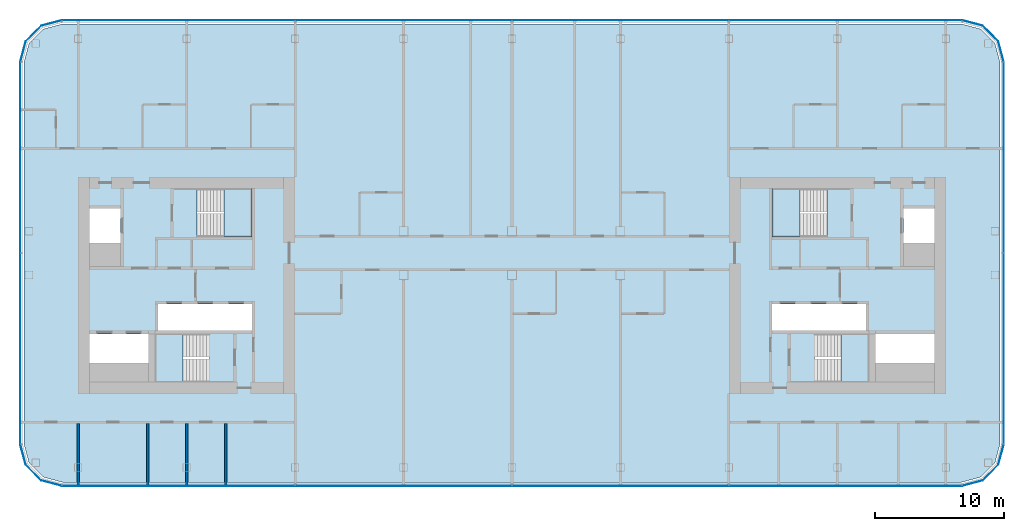
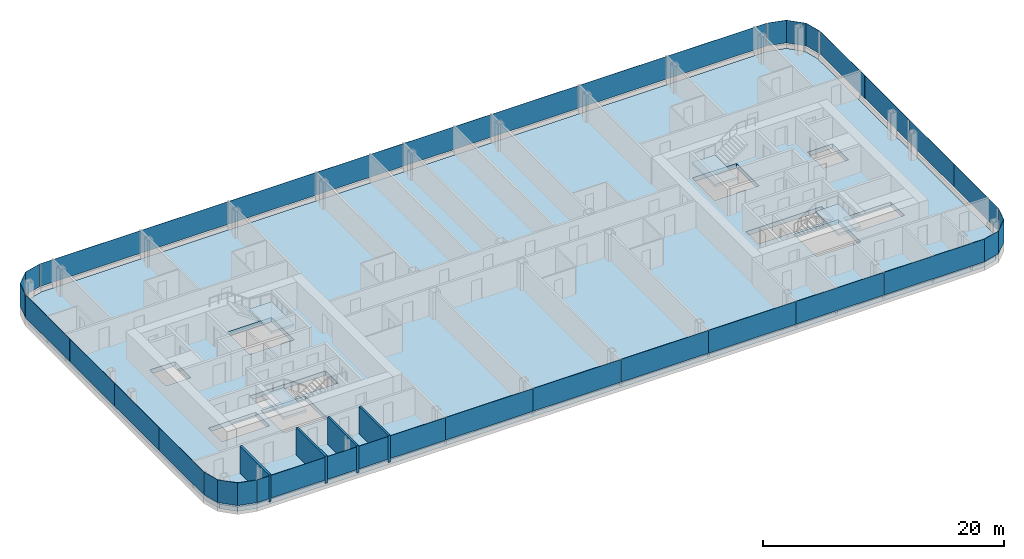
# One storey, part 12 of 25: 28 plates, 5 slabs, 4 walls, 12 elements without a shape of their own.
"""IFC4 building model written with IfcOpenShell, lengths in metres."""

from ifc_helpers import new_model, si_unit, direction, frame, frame_2d, origin, origin_2d, place, context, subcontext, project, spatial, polyline, rectangle, outline, extrude, material, layer, layer_set, type_object, element, aggregate, save


model = new_model("IFC4")

# Units and contexts
model_context = context("Model", 3, precision=1e-05, world=origin(), true_north=direction((0.0, 1.0)))
body_context = subcontext(model_context, "Body", "Model", "MODEL_VIEW")
ifc_project = project(units=[si_unit("LENGTHUNIT", "METRE"), si_unit("AREAUNIT", "SQUARE_METRE"), si_unit("VOLUMEUNIT", "CUBIC_METRE"), si_unit("PLANEANGLEUNIT", "RADIAN"), si_unit("MASSUNIT", "GRAM", prefix="KILO")], contexts=[model_context])

# Site, building, storey
site_placement = place(None, origin())
site = spatial("IfcSite", under=ifc_project, at=site_placement, CompositionType="ELEMENT")
building_placement = place(site_placement, origin())
building = spatial("IfcBuilding", under=site, at=building_placement, Name="Hakoniwa Tower and Hamabe Station Hall", CompositionType="ELEMENT")
storey_placement = place(building_placement, frame((0.0, 0.0, 186.60009765625)))
storey = spatial("IfcBuildingStorey", under=building, at=storey_placement, Name="L52", CompositionType="ELEMENT", Elevation=186.60009765625)

# Stair, slab
ifc_material_1 = material(Name="Concrete C40", Category="concrete")
stair_type = type_object("IfcStairType", Name="ESCAPE STAIR 1800", PredefinedType="HALF_TURN_STAIR", material=ifc_material_1)
stair_1_placement = place(storey_placement, origin())
stair_1 = element("IfcStair", 1, at=stair_1_placement, inside=storey, type_object=stair_type, Name="Escape stair ST-1 L52", PredefinedType="HALF_TURN_STAIR")
ifc_material_2 = material(Name="Concrete C40", Category="concrete")
ifc_layer_1 = layer(ifc_material_2, 0.25)
ifc_layer_set_1 = layer_set([ifc_layer_1], Name="CORE STAIR LANDING 250")
slab_type_1 = type_object("IfcSlabType", Name="CORE STAIR LANDING 250", PredefinedType="LANDING", material=ifc_layer_set_1)
slab_1_placement = place(storey_placement, frame((0.0, 0.0, 1.349853515625)))
slab_1 = element("IfcSlab", 2, at=slab_1_placement, type_object=slab_type_1, Name="ST-1 landing 1", PredefinedType="LANDING", context=body_context, shape_type="SweptSolid", body=[
    extrude(outline(polyline([(-22.320068359375, 3.75), (-20.14990234375, 3.75), (-20.14990234375, 7.5), (-22.320068359375, 7.5), (-22.320068359375, 3.75)])), origin(), (0.0, 0.0, 1.0), 0.25),
])
aggregate(stair_1, [slab_1])

stair_2_placement = place(storey_placement, origin())
stair_2 = element("IfcStair", 3, at=stair_2_placement, inside=storey, type_object=stair_type, Name="Escape stair ST-2 L52", PredefinedType="HALF_TURN_STAIR")
slab_2_placement = place(storey_placement, frame((0.0, 0.0, 1.349853515625)))
slab_2 = element("IfcSlab", 4, at=slab_2_placement, type_object=slab_type_1, Name="ST-2 landing 1", PredefinedType="LANDING", context=body_context, shape_type="SweptSolid", body=[
    extrude(outline(polyline([(-25.47998046875, -7.5), (-27.64990234375, -7.5), (-27.64990234375, -3.75), (-25.47998046875, -3.75), (-25.47998046875, -7.5)])), origin(), (0.0, 0.0, 1.0), 0.25),
])
aggregate(stair_2, [slab_2])

stair_3_placement = place(storey_placement, origin())
stair_3 = element("IfcStair", 5, at=stair_3_placement, inside=storey, type_object=stair_type, Name="Escape stair ST-3 L52", PredefinedType="HALF_TURN_STAIR")
slab_3_placement = place(storey_placement, frame((0.0, 0.0, 1.349853515625)))
slab_3 = element("IfcSlab", 6, at=slab_3_placement, type_object=slab_type_1, Name="ST-3 landing 1", PredefinedType="LANDING", context=body_context, shape_type="SweptSolid", body=[
    extrude(outline(polyline([(22.320068359375, 3.75), (20.14990234375, 3.75), (20.14990234375, 7.5), (22.320068359375, 7.5), (22.320068359375, 3.75)])), origin(), (0.0, 0.0, 1.0), 0.25),
])
aggregate(stair_3, [slab_3])

stair_4_placement = place(storey_placement, origin())
stair_4 = element("IfcStair", 7, at=stair_4_placement, inside=storey, type_object=stair_type, Name="Escape stair ST-4 L52", PredefinedType="HALF_TURN_STAIR")
slab_4_placement = place(storey_placement, frame((0.0, 0.0, 1.349853515625)))
slab_4 = element("IfcSlab", 8, at=slab_4_placement, type_object=slab_type_1, Name="ST-4 landing 1", PredefinedType="LANDING", context=body_context, shape_type="SweptSolid", body=[
    extrude(outline(polyline([(25.47998046875, -7.5), (27.64990234375, -7.5), (27.64990234375, -3.75), (25.47998046875, -3.75), (25.47998046875, -7.5)])), origin(), (0.0, 0.0, 1.0), 0.25),
])
aggregate(stair_4, [slab_4])

# Curtain wall, plates
ifc_material_3 = material(Name="Dark low-e laminated glass", Category="glass")
ifc_layer_2 = layer(ifc_material_3, 0.199951171875)
ifc_layer_set_2 = layer_set([ifc_layer_2], Name="CW-1 UNITISED GUEST")
curtain_wall_type = type_object("IfcCurtainWallType", Name="CW-1 UNITISED GUEST", PredefinedType="NOTDEFINED", material=ifc_layer_set_2)
curtain_wall_1_placement = place(storey_placement, origin())
curtain_wall_1 = element("IfcCurtainWall", 9, at=curtain_wall_1_placement, inside=storey, type_object=curtain_wall_type, Name="CW-1 curtain wall", PredefinedType="NOTDEFINED")
ifc_material_4 = material(Name="Dark low-e laminated glass", Category="glass")
ifc_layer_3 = layer(ifc_material_4, 0.028076171875)
ifc_layer_set_3 = layer_set([ifc_layer_3], Name="CW-1 GLASS UNIT")
plate_type = type_object("IfcPlateType", Name="CW-1 GLASS UNIT", PredefinedType="CURTAIN_PANEL", material=ifc_layer_set_3)
plate_1_placement = place(storey_placement, frame((38.0859375, -8.592041015625, 0.35009765625), z_axis=(0.0, 0.0, 1.0), x_axis=(0.0, 1.0, 0.0)))
plate_1 = element("IfcPlate", 10, at=plate_1_placement, type_object=plate_type, Name="CW-1 glass unit", PredefinedType="CURTAIN_PANEL", context=body_context, shape_type="SweptSolid", body=[
    extrude(rectangle(XDim=7.374755859375, YDim=0.028076171875, at=origin_2d()), origin(), (0.0, 0.0, 1.0), 2.300048828125),
])
plate_2_placement = place(storey_placement, frame((38.0859375, -1.197265625, 0.35009765625), z_axis=(0.0, 0.0, 1.0), x_axis=(0.0, 1.0, 0.0)))
plate_2 = element("IfcPlate", 11, at=plate_2_placement, type_object=plate_type, Name="CW-1 glass unit", PredefinedType="CURTAIN_PANEL", context=body_context, shape_type="SweptSolid", body=[
    extrude(rectangle(XDim=7.374755859375, YDim=0.028076171875, at=origin_2d()), origin(), (0.0, 0.0, 1.0), 2.300048828125),
])
plate_3_placement = place(storey_placement, frame((38.0859375, 6.197265625, 0.35009765625), z_axis=(0.0, 0.0, 1.0), x_axis=(0.0, 1.0, 0.0)))
plate_3 = element("IfcPlate", 12, at=plate_3_placement, type_object=plate_type, Name="CW-1 glass unit", PredefinedType="CURTAIN_PANEL", context=body_context, shape_type="SweptSolid", body=[
    extrude(rectangle(XDim=7.374755859375, YDim=0.028076171875, at=origin_2d()), origin(), (0.0, 0.0, 1.0), 2.300048828125),
])
plate_4_placement = place(storey_placement, frame((38.0859375, 13.592041015625, 0.35009765625), z_axis=(0.0, 0.0, 1.0), x_axis=(0.0, 1.0, 0.0)))
plate_4 = element("IfcPlate", 13, at=plate_4_placement, type_object=plate_type, Name="CW-1 glass unit", PredefinedType="CURTAIN_PANEL", context=body_context, shape_type="SweptSolid", body=[
    extrude(rectangle(XDim=7.374755859375, YDim=0.028076171875, at=origin_2d()), origin(), (0.0, 0.0, 1.0), 2.300048828125),
])
aggregate(curtain_wall_1, [plate_1, plate_2, plate_3, plate_4])

# Curtain wall, plate
curtain_wall_2_placement = place(storey_placement, origin())
curtain_wall_2 = element("IfcCurtainWall", 14, at=curtain_wall_2_placement, inside=storey, type_object=curtain_wall_type, Name="CW-1 curtain wall", PredefinedType="NOTDEFINED")
plate_5_placement = place(storey_placement, frame((0.0, 0.0, 0.349853515625)))
plate_5 = element("IfcPlate", 15, at=plate_5_placement, type_object=plate_type, Name="CW-1 curved corner unit", PredefinedType="CURTAIN_PANEL", context=body_context, shape_type="SweptSolid", body=[
    extrude(outline(polyline([(38.089599609375, 17.328125), (37.6669921875, 18.9052734375), (36.455322265625, 20.116943359375), (34.878173828125, 20.53955078125), (34.870849609375, 20.5126953125), (36.44091796875, 20.092041015625), (37.641845703125, 18.890869140625), (38.0625, 17.32080078125), (38.089599609375, 17.328125)])), origin(), (0.0, 0.0, 1.0), 2.300048828125),
])
aggregate(curtain_wall_2, [plate_5])

# Curtain wall, plates
curtain_wall_3_placement = place(storey_placement, origin())
curtain_wall_3 = element("IfcCurtainWall", 16, at=curtain_wall_3_placement, inside=storey, type_object=curtain_wall_type, Name="CW-1 curtain wall", PredefinedType="NOTDEFINED")
plate_6_placement = place(storey_placement, frame((30.019775390625, 20.535888671875, 0.35009765625), z_axis=(0.0, 0.0, 1.0), x_axis=(-1.0, 0.0, 0.0)))
plate_6 = element("IfcPlate", 17, at=plate_6_placement, type_object=plate_type, Name="CW-1 glass unit", PredefinedType="CURTAIN_PANEL", context=body_context, shape_type="SweptSolid", body=[
    extrude(rectangle(XDim=9.619384765625, YDim=0.028076171875, at=origin_2d()), origin(), (0.0, 0.0, 1.0), 2.300048828125),
])
plate_7_placement = place(storey_placement, frame((21.0, 20.535888671875, 0.35009765625), z_axis=(0.0, 0.0, 1.0), x_axis=(-1.0, 0.0, 0.0)))
plate_7 = element("IfcPlate", 18, at=plate_7_placement, type_object=plate_type, Name="CW-1 glass unit", PredefinedType="CURTAIN_PANEL", context=body_context, shape_type="SweptSolid", body=[
    extrude(rectangle(XDim=8.3798828125, YDim=0.028076171875, at=origin_2d()), origin(), (0.0, 0.0, 1.0), 2.300048828125),
])
plate_8_placement = place(storey_placement, frame((12.60009765625, 20.535888671875, 0.35009765625), z_axis=(0.0, 0.0, 1.0), x_axis=(-1.0, 0.0, 0.0)))
plate_8 = element("IfcPlate", 19, at=plate_8_placement, type_object=plate_type, Name="CW-1 glass unit", PredefinedType="CURTAIN_PANEL", context=body_context, shape_type="SweptSolid", body=[
    extrude(rectangle(XDim=8.3798828125, YDim=0.028076171875, at=origin_2d()), origin(), (0.0, 0.0, 1.0), 2.300048828125),
])
plate_9_placement = place(storey_placement, frame((4.199951171875, 20.535888671875, 0.35009765625), z_axis=(0.0, 0.0, 1.0), x_axis=(-1.0, 0.0, 0.0)))
plate_9 = element("IfcPlate", 20, at=plate_9_placement, type_object=plate_type, Name="CW-1 glass unit", PredefinedType="CURTAIN_PANEL", context=body_context, shape_type="SweptSolid", body=[
    extrude(rectangle(XDim=8.3798828125, YDim=0.028076171875, at=origin_2d()), origin(), (0.0, 0.0, 1.0), 2.300048828125),
])
plate_10_placement = place(storey_placement, frame((-4.199951171875, 20.535888671875, 0.35009765625), z_axis=(0.0, 0.0, 1.0), x_axis=(-1.0, 0.0, 0.0)))
plate_10 = element("IfcPlate", 21, at=plate_10_placement, type_object=plate_type, Name="CW-1 glass unit", PredefinedType="CURTAIN_PANEL", context=body_context, shape_type="SweptSolid", body=[
    extrude(rectangle(XDim=8.3798828125, YDim=0.028076171875, at=origin_2d()), origin(), (0.0, 0.0, 1.0), 2.300048828125),
])
plate_11_placement = place(storey_placement, frame((-12.60009765625, 20.535888671875, 0.35009765625), z_axis=(0.0, 0.0, 1.0), x_axis=(-1.0, 0.0, 0.0)))
plate_11 = element("IfcPlate", 22, at=plate_11_placement, type_object=plate_type, Name="CW-1 glass unit", PredefinedType="CURTAIN_PANEL", context=body_context, shape_type="SweptSolid", body=[
    extrude(rectangle(XDim=8.3798828125, YDim=0.028076171875, at=origin_2d()), origin(), (0.0, 0.0, 1.0), 2.300048828125),
])
plate_12_placement = place(storey_placement, frame((-21.0, 20.535888671875, 0.35009765625), z_axis=(0.0, 0.0, 1.0), x_axis=(-1.0, 0.0, 0.0)))
plate_12 = element("IfcPlate", 23, at=plate_12_placement, type_object=plate_type, Name="CW-1 glass unit", PredefinedType="CURTAIN_PANEL", context=body_context, shape_type="SweptSolid", body=[
    extrude(rectangle(XDim=8.3798828125, YDim=0.028076171875, at=origin_2d()), origin(), (0.0, 0.0, 1.0), 2.300048828125),
])
plate_13_placement = place(storey_placement, frame((-30.019775390625, 20.535888671875, 0.35009765625), z_axis=(0.0, 0.0, 1.0), x_axis=(-1.0, 0.0, 0.0)))
plate_13 = element("IfcPlate", 24, at=plate_13_placement, type_object=plate_type, Name="CW-1 glass unit", PredefinedType="CURTAIN_PANEL", context=body_context, shape_type="SweptSolid", body=[
    extrude(rectangle(XDim=9.619384765625, YDim=0.028076171875, at=origin_2d()), origin(), (0.0, 0.0, 1.0), 2.300048828125),
])
aggregate(curtain_wall_3, [plate_6, plate_7, plate_8, plate_9, plate_10, plate_11, plate_12, plate_13])

# Curtain wall, plate
curtain_wall_4_placement = place(storey_placement, origin())
curtain_wall_4 = element("IfcCurtainWall", 25, at=curtain_wall_4_placement, inside=storey, type_object=curtain_wall_type, Name="CW-1 curtain wall", PredefinedType="NOTDEFINED")
plate_14_placement = place(storey_placement, frame((0.0, 0.0, 0.349853515625)))
plate_14 = element("IfcPlate", 26, at=plate_14_placement, type_object=plate_type, Name="CW-1 curved corner unit", PredefinedType="CURTAIN_PANEL", context=body_context, shape_type="SweptSolid", body=[
    extrude(outline(polyline([(-34.878173828125, 20.53955078125), (-36.455322265625, 20.116943359375), (-37.6669921875, 18.9052734375), (-38.089599609375, 17.328125), (-38.0625, 17.32080078125), (-37.641845703125, 18.890869140625), (-36.44091796875, 20.092041015625), (-34.870849609375, 20.5126953125), (-34.878173828125, 20.53955078125)])), origin(), (0.0, 0.0, 1.0), 2.300048828125),
])
aggregate(curtain_wall_4, [plate_14])

# Curtain wall, plates
curtain_wall_5_placement = place(storey_placement, origin())
curtain_wall_5 = element("IfcCurtainWall", 27, at=curtain_wall_5_placement, inside=storey, type_object=curtain_wall_type, Name="CW-1 curtain wall", PredefinedType="NOTDEFINED")
plate_15_placement = place(storey_placement, frame((-38.0859375, 13.592041015625, 0.35009765625), z_axis=(0.0, 0.0, 1.0), x_axis=(0.0, -1.0, 0.0)))
plate_15 = element("IfcPlate", 28, at=plate_15_placement, type_object=plate_type, Name="CW-1 glass unit", PredefinedType="CURTAIN_PANEL", context=body_context, shape_type="SweptSolid", body=[
    extrude(rectangle(XDim=7.374755859375, YDim=0.028076171875, at=origin_2d()), origin(), (0.0, 0.0, 1.0), 2.300048828125),
])
plate_16_placement = place(storey_placement, frame((-38.0859375, 6.197265625, 0.35009765625), z_axis=(0.0, 0.0, 1.0), x_axis=(0.0, -1.0, 0.0)))
plate_16 = element("IfcPlate", 29, at=plate_16_placement, type_object=plate_type, Name="CW-1 glass unit", PredefinedType="CURTAIN_PANEL", context=body_context, shape_type="SweptSolid", body=[
    extrude(rectangle(XDim=7.374755859375, YDim=0.028076171875, at=origin_2d()), origin(), (0.0, 0.0, 1.0), 2.300048828125),
])
plate_17_placement = place(storey_placement, frame((-38.0859375, -1.197265625, 0.35009765625), z_axis=(0.0, 0.0, 1.0), x_axis=(0.0, -1.0, 0.0)))
plate_17 = element("IfcPlate", 30, at=plate_17_placement, type_object=plate_type, Name="CW-1 glass unit", PredefinedType="CURTAIN_PANEL", context=body_context, shape_type="SweptSolid", body=[
    extrude(rectangle(XDim=7.374755859375, YDim=0.028076171875, at=origin_2d()), origin(), (0.0, 0.0, 1.0), 2.300048828125),
])
plate_18_placement = place(storey_placement, frame((-38.0859375, -8.592041015625, 0.35009765625), z_axis=(0.0, 0.0, 1.0), x_axis=(0.0, -1.0, 0.0)))
plate_18 = element("IfcPlate", 31, at=plate_18_placement, type_object=plate_type, Name="CW-1 glass unit", PredefinedType="CURTAIN_PANEL", context=body_context, shape_type="SweptSolid", body=[
    extrude(rectangle(XDim=7.374755859375, YDim=0.028076171875, at=origin_2d()), origin(), (0.0, 0.0, 1.0), 2.300048828125),
])
aggregate(curtain_wall_5, [plate_15, plate_16, plate_17, plate_18])

# Curtain wall, plate
curtain_wall_6_placement = place(storey_placement, origin())
curtain_wall_6 = element("IfcCurtainWall", 32, at=curtain_wall_6_placement, inside=storey, type_object=curtain_wall_type, Name="CW-1 curtain wall", PredefinedType="NOTDEFINED")
plate_19_placement = place(storey_placement, frame((0.0, 0.0, 0.349853515625)))
plate_19 = element("IfcPlate", 33, at=plate_19_placement, type_object=plate_type, Name="CW-1 curved corner unit", PredefinedType="CURTAIN_PANEL", context=body_context, shape_type="SweptSolid", body=[
    extrude(outline(polyline([(-38.089599609375, -12.328125), (-37.6669921875, -13.9052734375), (-36.455322265625, -15.116943359375), (-34.878173828125, -15.53955078125), (-34.870849609375, -15.5126953125), (-36.44091796875, -15.092041015625), (-37.641845703125, -13.890869140625), (-38.0625, -12.32080078125), (-38.089599609375, -12.328125)])), origin(), (0.0, 0.0, 1.0), 2.300048828125),
])
aggregate(curtain_wall_6, [plate_19])

# Curtain wall, plates
curtain_wall_7_placement = place(storey_placement, origin())
curtain_wall_7 = element("IfcCurtainWall", 34, at=curtain_wall_7_placement, inside=storey, type_object=curtain_wall_type, Name="CW-1 curtain wall", PredefinedType="NOTDEFINED")
plate_20_placement = place(storey_placement, frame((-30.019775390625, -15.535888671875, 0.35009765625), z_axis=(0.0, 0.0, 1.0), x_axis=(1.0, 0.0, 0.0)))
plate_20 = element("IfcPlate", 35, at=plate_20_placement, type_object=plate_type, Name="CW-1 glass unit", PredefinedType="CURTAIN_PANEL", context=body_context, shape_type="SweptSolid", body=[
    extrude(rectangle(XDim=9.619384765625, YDim=0.028076171875, at=origin_2d()), origin(), (0.0, 0.0, 1.0), 2.300048828125),
])
plate_21_placement = place(storey_placement, frame((-21.0, -15.535888671875, 0.35009765625), z_axis=(0.0, 0.0, 1.0), x_axis=(1.0, 0.0, 0.0)))
plate_21 = element("IfcPlate", 36, at=plate_21_placement, type_object=plate_type, Name="CW-1 glass unit", PredefinedType="CURTAIN_PANEL", context=body_context, shape_type="SweptSolid", body=[
    extrude(rectangle(XDim=8.3798828125, YDim=0.028076171875, at=origin_2d()), origin(), (0.0, 0.0, 1.0), 2.300048828125),
])
plate_22_placement = place(storey_placement, frame((-12.60009765625, -15.535888671875, 0.35009765625), z_axis=(0.0, 0.0, 1.0), x_axis=(1.0, 0.0, 0.0)))
plate_22 = element("IfcPlate", 37, at=plate_22_placement, type_object=plate_type, Name="CW-1 glass unit", PredefinedType="CURTAIN_PANEL", context=body_context, shape_type="SweptSolid", body=[
    extrude(rectangle(XDim=8.3798828125, YDim=0.028076171875, at=origin_2d()), origin(), (0.0, 0.0, 1.0), 2.300048828125),
])
plate_23_placement = place(storey_placement, frame((-4.199951171875, -15.535888671875, 0.35009765625), z_axis=(0.0, 0.0, 1.0), x_axis=(1.0, 0.0, 0.0)))
plate_23 = element("IfcPlate", 38, at=plate_23_placement, type_object=plate_type, Name="CW-1 glass unit", PredefinedType="CURTAIN_PANEL", context=body_context, shape_type="SweptSolid", body=[
    extrude(rectangle(XDim=8.3798828125, YDim=0.028076171875, at=origin_2d()), origin(), (0.0, 0.0, 1.0), 2.300048828125),
])
plate_24_placement = place(storey_placement, frame((4.199951171875, -15.535888671875, 0.35009765625), z_axis=(0.0, 0.0, 1.0), x_axis=(1.0, 0.0, 0.0)))
plate_24 = element("IfcPlate", 39, at=plate_24_placement, type_object=plate_type, Name="CW-1 glass unit", PredefinedType="CURTAIN_PANEL", context=body_context, shape_type="SweptSolid", body=[
    extrude(rectangle(XDim=8.3798828125, YDim=0.028076171875, at=origin_2d()), origin(), (0.0, 0.0, 1.0), 2.300048828125),
])
plate_25_placement = place(storey_placement, frame((12.60009765625, -15.535888671875, 0.35009765625), z_axis=(0.0, 0.0, 1.0), x_axis=(1.0, 0.0, 0.0)))
plate_25 = element("IfcPlate", 40, at=plate_25_placement, type_object=plate_type, Name="CW-1 glass unit", PredefinedType="CURTAIN_PANEL", context=body_context, shape_type="SweptSolid", body=[
    extrude(rectangle(XDim=8.3798828125, YDim=0.028076171875, at=origin_2d()), origin(), (0.0, 0.0, 1.0), 2.300048828125),
])
plate_26_placement = place(storey_placement, frame((21.0, -15.535888671875, 0.35009765625), z_axis=(0.0, 0.0, 1.0), x_axis=(1.0, 0.0, 0.0)))
plate_26 = element("IfcPlate", 41, at=plate_26_placement, type_object=plate_type, Name="CW-1 glass unit", PredefinedType="CURTAIN_PANEL", context=body_context, shape_type="SweptSolid", body=[
    extrude(rectangle(XDim=8.3798828125, YDim=0.028076171875, at=origin_2d()), origin(), (0.0, 0.0, 1.0), 2.300048828125),
])
plate_27_placement = place(storey_placement, frame((30.019775390625, -15.535888671875, 0.35009765625), z_axis=(0.0, 0.0, 1.0), x_axis=(1.0, 0.0, 0.0)))
plate_27 = element("IfcPlate", 42, at=plate_27_placement, type_object=plate_type, Name="CW-1 glass unit", PredefinedType="CURTAIN_PANEL", context=body_context, shape_type="SweptSolid", body=[
    extrude(rectangle(XDim=9.619384765625, YDim=0.028076171875, at=origin_2d()), origin(), (0.0, 0.0, 1.0), 2.300048828125),
])
aggregate(curtain_wall_7, [plate_20, plate_21, plate_22, plate_23, plate_24, plate_25, plate_26, plate_27])

# Curtain wall, plate
curtain_wall_8_placement = place(storey_placement, origin())
curtain_wall_8 = element("IfcCurtainWall", 43, at=curtain_wall_8_placement, inside=storey, type_object=curtain_wall_type, Name="CW-1 curtain wall", PredefinedType="NOTDEFINED")
plate_28_placement = place(storey_placement, frame((0.0, 0.0, 0.349853515625)))
plate_28 = element("IfcPlate", 44, at=plate_28_placement, type_object=plate_type, Name="CW-1 curved corner unit", PredefinedType="CURTAIN_PANEL", context=body_context, shape_type="SweptSolid", body=[
    extrude(outline(polyline([(34.878173828125, -15.53955078125), (36.455322265625, -15.116943359375), (37.6669921875, -13.9052734375), (38.089599609375, -12.328125), (38.0625, -12.32080078125), (37.641845703125, -13.890869140625), (36.44091796875, -15.092041015625), (34.870849609375, -15.5126953125), (34.878173828125, -15.53955078125)])), origin(), (0.0, 0.0, 1.0), 2.300048828125),
])
aggregate(curtain_wall_8, [plate_28])

# Slab
ifc_material_5 = material(Name="Concrete C42", Category="concrete")
ifc_layer_4 = layer(ifc_material_5, 0.449951171875)
ifc_layer_set_4 = layer_set([ifc_layer_4], Name="PT FLAT PLATE 450")
slab_type_2 = type_object("IfcSlabType", Name="PT FLAT PLATE 450", PredefinedType="FLOOR", material=ifc_layer_set_4)
slab_5_placement = place(storey_placement, frame((0.0, 0.0, -0.4501953125)))
element("IfcSlab", 45, at=slab_5_placement, inside=storey, type_object=slab_type_2, Name="Floor slab L52", PredefinedType="FLOOR", context=body_context, shape_type="SweptSolid", body=[
    extrude(outline(polyline([(37.800048828125, -12.25), (37.800048828125, 17.25), (37.398193359375, 18.75), (36.300048828125, 19.84814453125), (34.800048828125, 20.25), (-34.800048828125, 20.25), (-36.300048828125, 19.84814453125), (-37.398193359375, 18.75), (-37.800048828125, 17.25), (-37.800048828125, -12.25), (-37.398193359375, -13.75), (-36.300048828125, -14.84814453125), (-34.800048828125, -15.25), (34.800048828125, -15.25), (36.300048828125, -14.84814453125), (37.398193359375, -13.75), (37.800048828125, -12.25)]), holes=[polyline([(-27.39990234375, -3.5), (-27.39990234375, -1.449951171875), (-20.14990234375, -1.449951171875), (-20.14990234375, -3.5), (-27.39990234375, -3.5)]), polyline([(-32.699951171875, 3.300048828125), (-32.699951171875, 5.949951171875), (-30.300048828125, 5.949951171875), (-30.300048828125, 3.300048828125), (-32.699951171875, 3.300048828125)]), polyline([(-32.699951171875, -6.0), (-32.699951171875, -3.75), (-28.14990234375, -3.75), (-28.14990234375, -6.0), (-32.699951171875, -6.0)]), polyline([(-24.389892578125, 3.75), (-24.389892578125, 7.5), (-20.14990234375, 7.5), (-20.14990234375, 3.75), (-24.389892578125, 3.75)]), polyline([(-27.64990234375, -7.5), (-27.64990234375, -3.75), (-23.409912109375, -3.75), (-23.409912109375, -7.5), (-27.64990234375, -7.5)]), polyline([(20.14990234375, -3.5), (20.14990234375, -1.449951171875), (27.39990234375, -1.449951171875), (27.39990234375, -3.5), (20.14990234375, -3.5)]), polyline([(30.300048828125, 3.300048828125), (30.300048828125, 5.949951171875), (32.699951171875, 5.949951171875), (32.699951171875, 3.300048828125), (30.300048828125, 3.300048828125)]), polyline([(28.14990234375, -6.0), (28.14990234375, -3.75), (32.699951171875, -3.75), (32.699951171875, -6.0), (28.14990234375, -6.0)]), polyline([(20.14990234375, 3.75), (20.14990234375, 7.5), (24.389892578125, 7.5), (24.389892578125, 3.75), (20.14990234375, 3.75)]), polyline([(23.409912109375, -7.5), (23.409912109375, -3.75), (27.64990234375, -3.75), (27.64990234375, -7.5), (23.409912109375, -7.5)])]), origin(), (0.0, 0.0, 1.0), 0.4501953125),
])

# Walls
ifc_material_6 = material(Name="Fire-rated gypsum board partition", Category="gypsum")
ifc_layer_5 = layer(ifc_material_6, 0.199951171875)
ifc_layer_set_5 = layer_set([ifc_layer_5], Name="Party Wall 200")
wall_type = type_object("IfcWallType", Name="Party Wall 200", PredefinedType="PARTITIONING", material=ifc_layer_set_5)
for number, where, z_axis, x_axis, name in (
    (46, (-33.60009765625, -15.550048828125, 0.0), (0.0, 0.0, 1.0), (0.0, 1.0, 0.0), "GW-L52-018"),
    (47, (-28.219970703125, -15.550048828125, 0.0), (0.0, 0.0, 1.0), (0.0, 1.0, 0.0), "GW-L52-021"),
    (48, (-25.199951171875, -15.550048828125, 0.0), (0.0, 0.0, 1.0), (0.0, 1.0, 0.0), "GW-L52-022"),
    (49, (-22.179931640625, -15.550048828125, 0.0), (0.0, 0.0, 1.0), (0.0, 1.0, 0.0), "GW-L52-024"),
):
    element("IfcWall", number, at=place(storey_placement, frame(where, z_axis=z_axis, x_axis=x_axis)), inside=storey, type_object=wall_type, Name=name, PredefinedType="PARTITIONING", context=body_context, shape_type="SweptSolid", body=[
        extrude(rectangle(XDim=4.85009765625, YDim=0.199951171875, at=frame_2d((2.425048828125, 0.0))), origin(), (0.0, 0.0, 1.0), 2.75),
    ])

save(model, "model.ifc")
